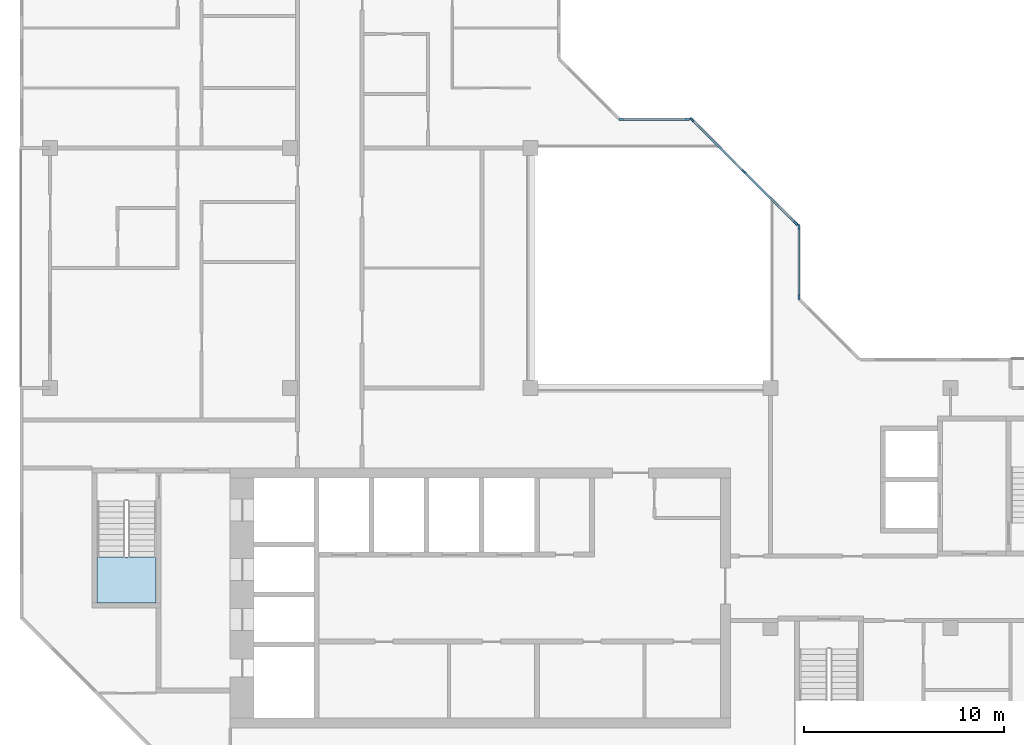
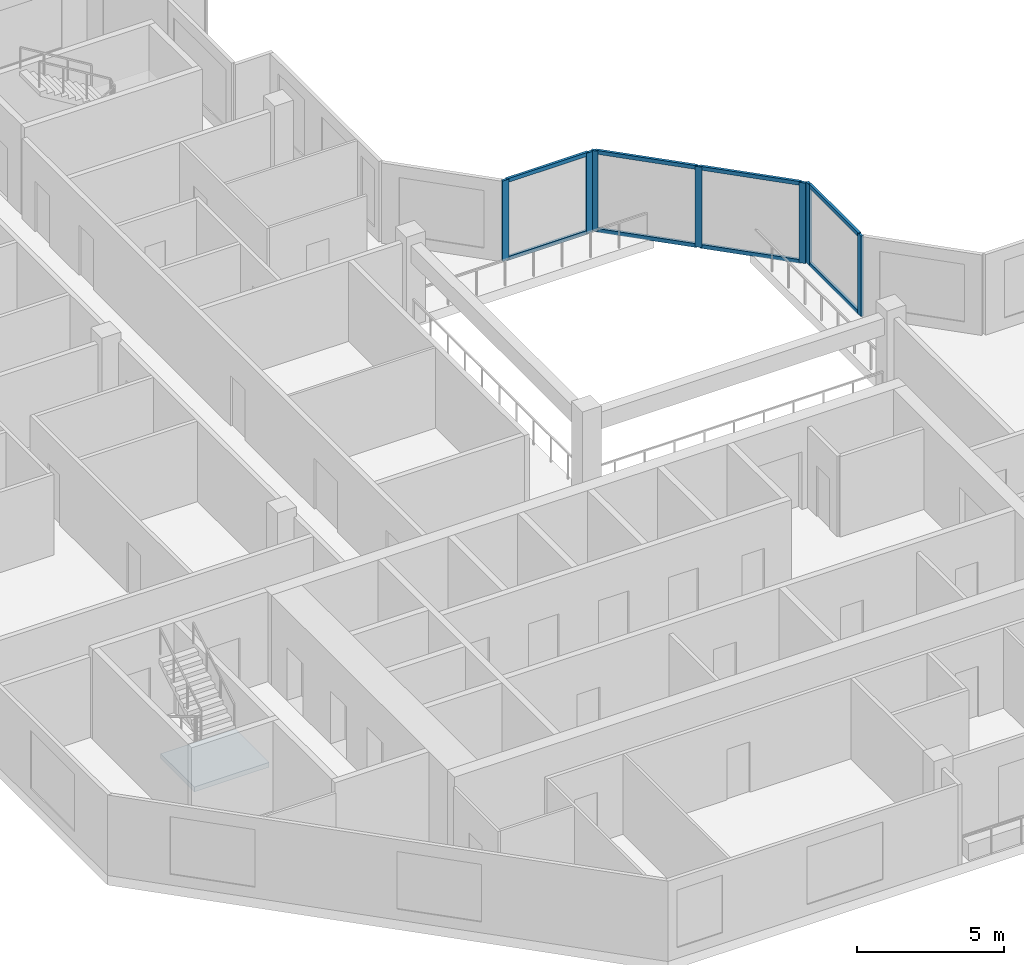
# One storey, part 2 of 12: 15 members, 1 slab, 4 elements without a shape of their own.
"""IFC4 building model written with IfcOpenShell, lengths in metres."""

import ifcopenshell
import ifcopenshell.guid

model = None  # the IFC model being written
_history = None  # IfcOwnerHistory: only IFC2X3 demands one
_inside = {}  # id of a spatial element -> (the spatial element, [elements in it])
_under = {}  # id of a project, library or spatial element -> (it, [spatial elements below it])
_declared = {}  # id of a project -> (the project, [libraries it declares])
_typed = {}  # id of a type object -> (the type object, [elements of that type])
_made_of = {}  # id of a material, layer set ... -> (it, [elements and type objects made of it])


def new_model(schema):
    """Start an empty IFC model of exactly this schema.

    Asked for "IFC4X3", IfcOpenShell would pick the latest addendum, in which some entities
    have other attributes; the version numbers below select the first issue.
    IFC2X3 requires an IfcOwnerHistory on every rooted entity: one is made here for all.
    """
    global model, _history
    if schema == "IFC4X3":
        model = ifcopenshell.file(schema_version=(4, 3, 0, 0))
    else:
        model = ifcopenshell.file(schema=schema)
    _inside.clear()
    _under.clear()
    _declared.clear()
    _typed.clear()
    _made_of.clear()
    _history = None
    if model.schema == "IFC2X3":
        org = make("IfcOrganization", Name="unknown")
        user = make(
            "IfcPersonAndOrganization",
            ThePerson=make("IfcPerson", FamilyName="unknown"),
            TheOrganization=org,
        )
        app = make(
            "IfcApplication",
            ApplicationDeveloper=org,
            Version="unknown",
            ApplicationFullName="unknown",
            ApplicationIdentifier="unknown",
        )
        _history = make(
            "IfcOwnerHistory",
            OwningUser=user,
            OwningApplication=app,
            ChangeAction="ADDED",
            CreationDate=0,
        )
    return model


def make(cls, **values):
    """One entity of the class cls with the attributes given. An attribute that is None is left unset."""
    return model.create_entity(
        cls, **{name: value for name, value in values.items() if value is not None}
    )


def rooted(cls, **values):
    """An entity with a GlobalId (a new one), such as an element, a storey or a relation."""
    return make(cls, GlobalId=ifcopenshell.guid.new(), OwnerHistory=_history, **values)


def si_unit(unit_type, name, prefix=None):
    """IfcSIUnit, for example si_unit("LENGTHUNIT", "METRE", prefix="MILLI")."""
    return make("IfcSIUnit", UnitType=unit_type, Prefix=prefix, Name=name)


def assignment(units):
    """IfcUnitAssignment: the units of a project."""
    return None if units is None else make("IfcUnitAssignment", Units=units)


def point(xyz):
    """IfcCartesianPoint."""
    return None if xyz is None else make("IfcCartesianPoint", Coordinates=xyz)


def direction(xyz):
    """IfcDirection."""
    return None if xyz is None else make("IfcDirection", DirectionRatios=xyz)


def frame(location, z_axis=None, x_axis=None):
    """IfcAxis2Placement3D, a coordinate frame: its origin and axes. An axis left out is left unset."""
    return make(
        "IfcAxis2Placement3D",
        Location=point(location),
        Axis=direction(z_axis),
        RefDirection=direction(x_axis),
    )


def frame_2d(location, x_axis=None):
    """IfcAxis2Placement2D, a coordinate frame in the plane: its origin and x axis."""
    return make(
        "IfcAxis2Placement2D", Location=point(location), RefDirection=direction(x_axis)
    )


def origin():
    """The frame at (0, 0, 0) with its axes left unset."""
    return frame((0.0, 0.0, 0.0))


def origin_2d():
    """The frame at (0, 0) in the plane with its x axis left unset."""
    return frame_2d((0.0, 0.0))


def place(relative_to, where):
    """IfcLocalPlacement: puts the frame where relative to a parent placement (None: the world)."""
    return make(
        "IfcLocalPlacement", PlacementRelTo=relative_to, RelativePlacement=where
    )


def context(
    kind, dimensions, precision=None, world=None, true_north=None, identifier=None
):
    """IfcGeometricRepresentationContext, for example the 3D "Model" context."""
    return make(
        "IfcGeometricRepresentationContext",
        ContextIdentifier=identifier,
        ContextType=kind,
        CoordinateSpaceDimension=dimensions,
        Precision=precision,
        WorldCoordinateSystem=world,
        TrueNorth=true_north,
    )


def subcontext(parent, identifier, kind, view, scale=None):
    """IfcGeometricRepresentationSubContext, for example "Body" below "Model"."""
    return make(
        "IfcGeometricRepresentationSubContext",
        ContextIdentifier=identifier,
        ContextType=kind,
        ParentContext=parent,
        TargetScale=scale,
        TargetView=view,
    )


def project(units=None, contexts=None):
    """IfcProject with its units and contexts."""
    return rooted(
        "IfcProject",
        Name="project",
        RepresentationContexts=contexts,
        UnitsInContext=assignment(units),
    )


def spatial(cls, under=None, at=None, **own):
    """A site, building, storey or space (cls), placed at a placement, below another one or the project."""
    s = rooted(cls, ObjectPlacement=at, **own)
    if under is not None:
        _under.setdefault(under.id(), (under, []))[1].append(s)
    return s


def polyline(points):
    """IfcPolyline through the points."""
    return make("IfcPolyline", Points=[point(p) for p in points])


def profile(cls, at=None, kind="AREA", **sizes):
    """A parametric profile (cls). Its sizes go by their IFC names, for example OverallWidth=200.0."""
    return make(cls, ProfileType=kind, Position=at, **sizes)


def rectangle(**sizes):
    """IfcRectangleProfileDef."""
    return profile("IfcRectangleProfileDef", **sizes)


def outline(outer, holes=None, kind="AREA"):
    """IfcArbitraryClosedProfileDef: a profile drawn as a closed curve; with holes, ...WithVoids."""
    if holes is None:
        return make("IfcArbitraryClosedProfileDef", ProfileType=kind, OuterCurve=outer)
    return make(
        "IfcArbitraryProfileDefWithVoids",
        ProfileType=kind,
        OuterCurve=outer,
        InnerCurves=holes,
    )


def extrude(swept, where, along, depth):
    """IfcExtrudedAreaSolid: the profile swept, set in the frame where, extruded along a direction by depth."""
    return make(
        "IfcExtrudedAreaSolid",
        SweptArea=swept,
        Position=where,
        ExtrudedDirection=direction(along),
        Depth=depth,
    )


def shape(context_of_items, identifier, shape_type, items):
    """IfcShapeRepresentation: the items that make up one representation, for example the "Body"."""
    return make(
        "IfcShapeRepresentation",
        ContextOfItems=context_of_items,
        RepresentationIdentifier=identifier,
        RepresentationType=shape_type,
        Items=items,
    )


def material(Name=None, Category=None):
    """IfcMaterial."""
    return make("IfcMaterial", Name=Name, Category=Category)


def layer(
    of_material, thickness, ventilated=None, Name=None, Category=None, Priority=None
):
    """IfcMaterialLayer: one layer of a wall or slab, of a material (None: an air gap)."""
    return make(
        "IfcMaterialLayer",
        Material=of_material,
        LayerThickness=thickness,
        IsVentilated=ventilated,
        Name=Name,
        Category=Category,
        Priority=Priority,
    )


def layer_set(layers, Name=None):
    """IfcMaterialLayerSet."""
    return make("IfcMaterialLayerSet", MaterialLayers=layers, LayerSetName=Name)


def material_profile(
    of_material, cross_section, Name=None, Category=None, Priority=None
):
    """IfcMaterialProfile: a cross section and its material."""
    return make(
        "IfcMaterialProfile",
        Name=Name,
        Material=of_material,
        Profile=cross_section,
        Priority=Priority,
        Category=Category,
    )


def profile_set(profiles, Name=None, composite=None):
    """IfcMaterialProfileSet."""
    return make(
        "IfcMaterialProfileSet",
        Name=Name,
        MaterialProfiles=profiles,
        CompositeProfile=composite,
    )


def made_of(thing, what):
    """Note that an element or type object is made of a material, layer set ...; save() writes the relation."""
    if what is not None:
        _made_of.setdefault(what.id(), (what, []))[1].append(thing)
    return thing


def type_object(cls, material=None, **own):
    """A type object (cls), such as IfcWallType, which elements share."""
    return made_of(rooted(cls, **own), material)


def element(
    cls,
    number,
    at=None,
    inside=None,
    cuts=None,
    type_object=None,
    material=None,
    context=None,
    identifier="Body",
    shape_type=None,
    held_by="IfcProductDefinitionShape",
    body=None,
    shapes=None,
    **own,
):
    """One element of the class cls, such as IfcWall. Its Tag is "e" and its number.

    at: its placement. inside: the storey or other place that contains it. cuts: it is an
    opening in that element (IfcRelVoidsElement). A single representation is given by context,
    identifier, shape_type and body (its items); several are given by shapes. held_by: the class
    of the entity that holds the representations. save() writes the other relations.
    """
    e = rooted(cls, Tag="e%d" % number, ObjectPlacement=at, **own)
    if body is not None:
        shapes = [shape(context, identifier, shape_type, body)]
    if shapes is not None:
        e.Representation = make(held_by, Representations=shapes)
    if inside is not None:
        _inside.setdefault(inside.id(), (inside, []))[1].append(e)
    if cuts is not None:
        rooted(
            "IfcRelVoidsElement", RelatingBuildingElement=cuts, RelatedOpeningElement=e
        )
    if type_object is not None:
        _typed.setdefault(type_object.id(), (type_object, []))[1].append(e)
    return made_of(e, material)


def aggregate(whole, parts):
    """IfcRelAggregates: a whole, such as a stair, and the parts it consists of."""
    return rooted("IfcRelAggregates", RelatingObject=whole, RelatedObjects=parts)


def save(model, path):
    """Write the relations noted so far, then the file.

    IfcRelAggregates (storeys below a building ...), IfcRelContainedInSpatialStructure (elements
    in a storey), IfcRelDefinesByType, IfcRelAssociatesMaterial and IfcRelDeclares: one each for
    every whole, place, type object, material and project.
    """
    for whole, parts in _under.values():
        aggregate(whole, parts)
    for where, things in _inside.values():
        rooted(
            "IfcRelContainedInSpatialStructure",
            RelatedElements=things,
            RelatingStructure=where,
        )
    for kind, things in _typed.values():
        rooted("IfcRelDefinesByType", RelatedObjects=things, RelatingType=kind)
    for what, things in _made_of.values():
        rooted("IfcRelAssociatesMaterial", RelatedObjects=things, RelatingMaterial=what)
    for by, libraries in _declared.values():
        rooted("IfcRelDeclares", RelatingContext=by, RelatedDefinitions=libraries)
    model.write(path)


model = new_model("IFC4")

# Units and contexts
model_context = context("Model", 3, precision=1e-05, world=origin(), true_north=direction((0.0, 1.0)))
body_context = subcontext(model_context, "Body", "Model", "MODEL_VIEW")
ifc_project = project(units=[si_unit("LENGTHUNIT", "METRE"), si_unit("AREAUNIT", "SQUARE_METRE"), si_unit("VOLUMEUNIT", "CUBIC_METRE"), si_unit("PLANEANGLEUNIT", "RADIAN"), si_unit("MASSUNIT", "GRAM", prefix="KILO")], contexts=[model_context])

# Site, building, storey
site_placement = place(None, origin())
site = spatial("IfcSite", under=ifc_project, at=site_placement, CompositionType="ELEMENT")
building_placement = place(site_placement, origin())
building = spatial("IfcBuilding", under=site, at=building_placement, Name="Chenar Terraces", CompositionType="ELEMENT")
storey_placement = place(building_placement, frame((0.0, 0.0, 342.64990234375)))
storey = spatial("IfcBuildingStorey", under=building, at=storey_placement, Name="L79", CompositionType="ELEMENT", Elevation=342.64990234375)

# Curtain wall, members
ifc_material_1 = material(Name="Aluminium framed glazing", Category="aluminium")
ifc_layer_1 = layer(ifc_material_1, 0.14990234375)
ifc_layer_set_1 = layer_set([ifc_layer_1], Name="Aluminium framed glazing")
curtain_wall_type = type_object("IfcCurtainWallType", Name="Atrium upper-zone curtain wall", PredefinedType="NOTDEFINED", material=ifc_layer_set_1)
placement = place(storey_placement, origin())
curtain_wall_1 = element("IfcCurtainWall", 1, at=placement, inside=storey, type_object=curtain_wall_type, Name="Atrium upper-zone curtain wall", PredefinedType="NOTDEFINED")
ifc_material_2 = material(Name="Aluminium", Category="aluminium")
ifc_material_profile_1 = material_profile(ifc_material_2, rectangle(XDim=0.10009765625, YDim=0.239990234375, at=origin_2d()), Name="Atrium upper-zone glazing mullion 100 x 240")
ifc_profile_set_1 = profile_set([ifc_material_profile_1], Name="Aluminium")
member_type_1 = type_object("IfcMemberType", Name="Atrium upper-zone glazing mullion 100 x 240", PredefinedType="MULLION", material=ifc_profile_set_1)
member_1_placement = place(storey_placement, frame((37.425048828125, 28.550048828125, 0.0), z_axis=(0.0, 0.0, 1.0), x_axis=(-1.0, 0.0, 0.0)))
member_1 = element("IfcMember", 2, at=member_1_placement, type_object=member_type_1, Name="CW8-1 mullion 1", PredefinedType="MULLION", context=body_context, shape_type="SweptSolid", body=[
    extrude(rectangle(XDim=0.10009765625, YDim=0.239990234375, at=origin_2d()), origin(), (0.0, 0.0, 1.0), 3.35009765625),
])
member_2_placement = place(storey_placement, frame((37.425048828125, 32.050048828125, 0.0), z_axis=(0.0, 0.0, 1.0), x_axis=(-1.0, 0.0, 0.0)))
member_2 = element("IfcMember", 3, at=member_2_placement, type_object=member_type_1, Name="CW8-1 mullion 2", PredefinedType="MULLION", context=body_context, shape_type="SweptSolid", body=[
    extrude(rectangle(XDim=0.10009765625, YDim=0.239990234375, at=origin_2d()), origin(), (0.0, 0.0, 1.0), 3.35009765625),
])

curtain_wall_2 = element("IfcCurtainWall", 4, at=placement, inside=storey, type_object=curtain_wall_type, Name="Atrium upper-zone curtain wall", PredefinedType="NOTDEFINED")
member_3_placement = place(storey_placement, frame((37.270263671875, 32.2236328125, 0.0), z_axis=(0.0, 0.0, 1.0), x_axis=(-0.707106781187, -0.707106781187, 0.0)))
member_3 = element("IfcMember", 5, at=member_3_placement, type_object=member_type_1, Name="CW8-2 mullion 1", PredefinedType="MULLION", context=body_context, shape_type="SweptSolid", body=[
    extrude(rectangle(XDim=0.10009765625, YDim=0.239990234375, at=origin_2d()), origin(), (0.0, 0.0, 1.0), 3.35009765625),
])
member_4_placement = place(storey_placement, frame((34.67626953125, 34.817626953125, 0.0), z_axis=(0.0, 0.0, 1.0), x_axis=(-0.707106781187, -0.707106781187, 0.0)))
member_4 = element("IfcMember", 6, at=member_4_placement, type_object=member_type_1, Name="CW8-2 mullion 2", PredefinedType="MULLION", context=body_context, shape_type="SweptSolid", body=[
    extrude(rectangle(XDim=0.10009765625, YDim=0.239990234375, at=origin_2d()), origin(), (0.0, 0.0, 1.0), 3.35009765625),
])
member_5_placement = place(storey_placement, frame((32.082275390625, 37.41162109375, 0.0), z_axis=(0.0, 0.0, 1.0), x_axis=(-0.707106781187, -0.707106781187, 0.0)))
member_5 = element("IfcMember", 7, at=member_5_placement, type_object=member_type_1, Name="CW8-2 mullion 3", PredefinedType="MULLION", context=body_context, shape_type="SweptSolid", body=[
    extrude(rectangle(XDim=0.10009765625, YDim=0.239990234375, at=origin_2d()), origin(), (0.0, 0.0, 1.0), 3.35009765625),
])

curtain_wall_3 = element("IfcCurtainWall", 8, at=placement, inside=storey, type_object=curtain_wall_type, Name="Atrium upper-zone curtain wall", PredefinedType="NOTDEFINED")
member_6_placement = place(storey_placement, frame((31.85009765625, 37.425048828125, 0.0), z_axis=(0.0, 0.0, 1.0), x_axis=(0.0, -1.0, 0.0)))
member_6 = element("IfcMember", 9, at=member_6_placement, type_object=member_type_1, Name="CW8-3 mullion 1", PredefinedType="MULLION", context=body_context, shape_type="SweptSolid", body=[
    extrude(rectangle(XDim=0.10009765625, YDim=0.239990234375, at=origin_2d()), origin(), (0.0, 0.0, 1.0), 3.35009765625),
])
member_7_placement = place(storey_placement, frame((28.550048828125, 37.425048828125, 0.0), z_axis=(0.0, 0.0, 1.0), x_axis=(0.0, -1.0, 0.0)))
member_7 = element("IfcMember", 10, at=member_7_placement, type_object=member_type_1, Name="CW8-3 mullion 2", PredefinedType="MULLION", context=body_context, shape_type="SweptSolid", body=[
    extrude(rectangle(XDim=0.10009765625, YDim=0.239990234375, at=origin_2d()), origin(), (0.0, 0.0, 1.0), 3.35009765625),
])

# Member
ifc_material_3 = material(Name="Aluminium", Category="aluminium")
ifc_material_profile_2 = material_profile(ifc_material_3, rectangle(XDim=0.10009765625, YDim=0.159912109375, at=origin_2d()), Name="Atrium upper-zone glazing transom 100 x 160")
ifc_profile_set_2 = profile_set([ifc_material_profile_2], Name="Aluminium")
member_type_2 = type_object("IfcMemberType", Name="Atrium upper-zone glazing transom 100 x 160", PredefinedType="USERDEFINED", material=ifc_profile_set_2)
member_8_placement = place(storey_placement, frame((37.425048828125, 28.60009765625, 0.050048828125), z_axis=(0.0, 1.0, 0.0), x_axis=(-1.0, 0.0, 0.0)))
member_8 = element("IfcMember", 11, at=member_8_placement, type_object=member_type_2, Name="CW8-1 transom 1.1", ObjectType="TRANSOM", PredefinedType="USERDEFINED", context=body_context, shape_type="SweptSolid", body=[
    extrude(rectangle(XDim=0.10009765625, YDim=0.159912109375, at=origin_2d()), origin(), (0.0, 0.0, 1.0), 3.39990234375),
])

member_9_placement = place(storey_placement, frame((37.425048828125, 28.60009765625, 3.300048828125), z_axis=(0.0, 1.0, 0.0), x_axis=(-1.0, 0.0, 0.0)))
member_9 = element("IfcMember", 12, at=member_9_placement, type_object=member_type_2, Name="CW8-1 transom 1.2", ObjectType="TRANSOM", PredefinedType="USERDEFINED", context=body_context, shape_type="SweptSolid", body=[
    extrude(rectangle(XDim=0.10009765625, YDim=0.159912109375, at=origin_2d()), origin(), (0.0, 0.0, 1.0), 3.39990234375),
])

aggregate(curtain_wall_1, [member_1, member_2, member_8, member_9])

member_10_placement = place(storey_placement, frame((37.23486328125, 32.259033203125, 0.050048828125), z_axis=(-0.707106781187, 0.707106781187, 0.0), x_axis=(-0.707106781187, -0.707106781187, 0.0)))
member_10 = element("IfcMember", 13, at=member_10_placement, type_object=member_type_2, Name="CW8-2 transom 1.1", ObjectType="TRANSOM", PredefinedType="USERDEFINED", context=body_context, shape_type="SweptSolid", body=[
    extrude(rectangle(XDim=0.10009765625, YDim=0.159912109375, at=origin_2d()), origin(), (0.0, 0.0, 1.0), 3.568359375),
])

member_11_placement = place(storey_placement, frame((37.23486328125, 32.259033203125, 3.300048828125), z_axis=(-0.707106781187, 0.707106781187, 0.0), x_axis=(-0.707106781187, -0.707106781187, 0.0)))
member_11 = element("IfcMember", 14, at=member_11_placement, type_object=member_type_2, Name="CW8-2 transom 1.2", ObjectType="TRANSOM", PredefinedType="USERDEFINED", context=body_context, shape_type="SweptSolid", body=[
    extrude(rectangle(XDim=0.10009765625, YDim=0.159912109375, at=origin_2d()), origin(), (0.0, 0.0, 1.0), 3.568359375),
])

member_12_placement = place(storey_placement, frame((34.640869140625, 34.85302734375, 0.050048828125), z_axis=(-0.707106781187, 0.707106781187, 0.0), x_axis=(-0.707106781187, -0.707106781187, 0.0)))
member_12 = element("IfcMember", 15, at=member_12_placement, type_object=member_type_2, Name="CW8-2 transom 2.1", ObjectType="TRANSOM", PredefinedType="USERDEFINED", context=body_context, shape_type="SweptSolid", body=[
    extrude(rectangle(XDim=0.10009765625, YDim=0.159912109375, at=origin_2d()), origin(), (0.0, 0.0, 1.0), 3.568359375),
])

member_13_placement = place(storey_placement, frame((34.640869140625, 34.85302734375, 3.300048828125), z_axis=(-0.707106781187, 0.707106781187, 0.0), x_axis=(-0.707106781187, -0.707106781187, 0.0)))
member_13 = element("IfcMember", 16, at=member_13_placement, type_object=member_type_2, Name="CW8-2 transom 2.2", ObjectType="TRANSOM", PredefinedType="USERDEFINED", context=body_context, shape_type="SweptSolid", body=[
    extrude(rectangle(XDim=0.10009765625, YDim=0.159912109375, at=origin_2d()), origin(), (0.0, 0.0, 1.0), 3.568359375),
])

aggregate(curtain_wall_2, [member_3, member_4, member_5, member_10, member_11, member_12, member_13])

member_14_placement = place(storey_placement, frame((31.800048828125, 37.425048828125, 0.050048828125), z_axis=(-1.0, 0.0, 0.0), x_axis=(0.0, -1.0, 0.0)))
member_14 = element("IfcMember", 17, at=member_14_placement, type_object=member_type_2, Name="CW8-3 transom 1.1", ObjectType="TRANSOM", PredefinedType="USERDEFINED", context=body_context, shape_type="SweptSolid", body=[
    extrude(rectangle(XDim=0.10009765625, YDim=0.159912109375, at=origin_2d()), origin(), (0.0, 0.0, 1.0), 3.199951171875),
])

member_15_placement = place(storey_placement, frame((31.800048828125, 37.425048828125, 3.300048828125), z_axis=(-1.0, 0.0, 0.0), x_axis=(0.0, -1.0, 0.0)))
member_15 = element("IfcMember", 18, at=member_15_placement, type_object=member_type_2, Name="CW8-3 transom 1.2", ObjectType="TRANSOM", PredefinedType="USERDEFINED", context=body_context, shape_type="SweptSolid", body=[
    extrude(rectangle(XDim=0.10009765625, YDim=0.159912109375, at=origin_2d()), origin(), (0.0, 0.0, 1.0), 3.199951171875),
])

aggregate(curtain_wall_3, [member_6, member_7, member_14, member_15])

# Stair, slab
ifc_material_4 = material(Name="Reinforced concrete C40/50", Category="concrete")
stair_type = type_object("IfcStairType", Name="Core stair 1400 half-turn", PredefinedType="HALF_TURN_STAIR", material=ifc_material_4)
stair = element("IfcStair", 19, at=placement, inside=storey, type_object=stair_type, Name="L79 Stair 1", PredefinedType="HALF_TURN_STAIR")
ifc_material_5 = material(Name="Reinforced concrete C40/50", Category="concrete")
ifc_layer_2 = layer(ifc_material_5, 0.199951171875)
ifc_layer_set_2 = layer_set([ifc_layer_2], Name="Reinforced concrete C40/50")
slab_type = type_object("IfcSlabType", Name="Core stair landing 200", PredefinedType="LANDING", material=ifc_layer_set_2)
slab_placement = place(storey_placement, frame((0.0, 0.0, 1.675048828125)))
slab = element("IfcSlab", 20, at=slab_placement, type_object=slab_type, Name="ST1 landing 1", PredefinedType="LANDING", context=body_context, shape_type="SweptSolid", body=[
    extrude(outline(polyline([(2.35009765625, 15.550048828125), (2.35009765625, 13.25), (5.300048828125, 13.25), (5.300048828125, 15.550048828125), (2.35009765625, 15.550048828125)])), origin(), (0.0, 0.0, 1.0), 0.199951171875),
])
aggregate(stair, [slab])

save(model, "model.ifc")
